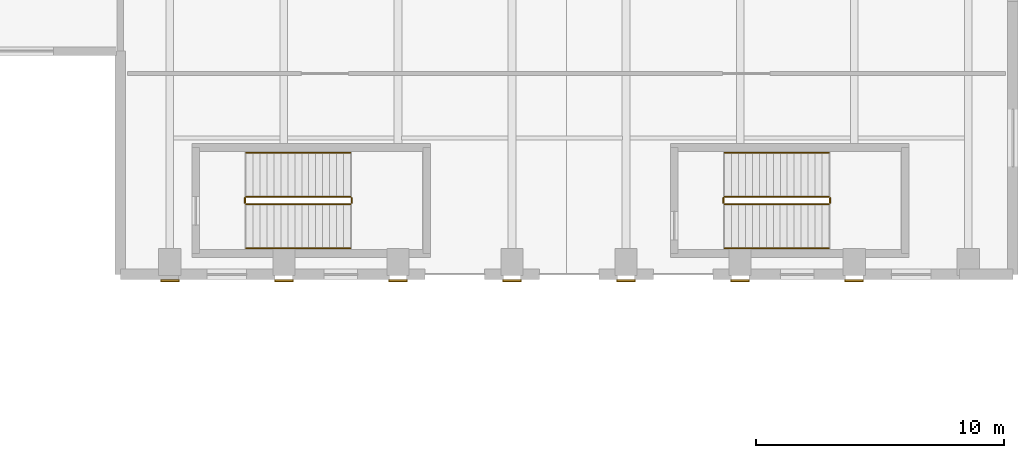
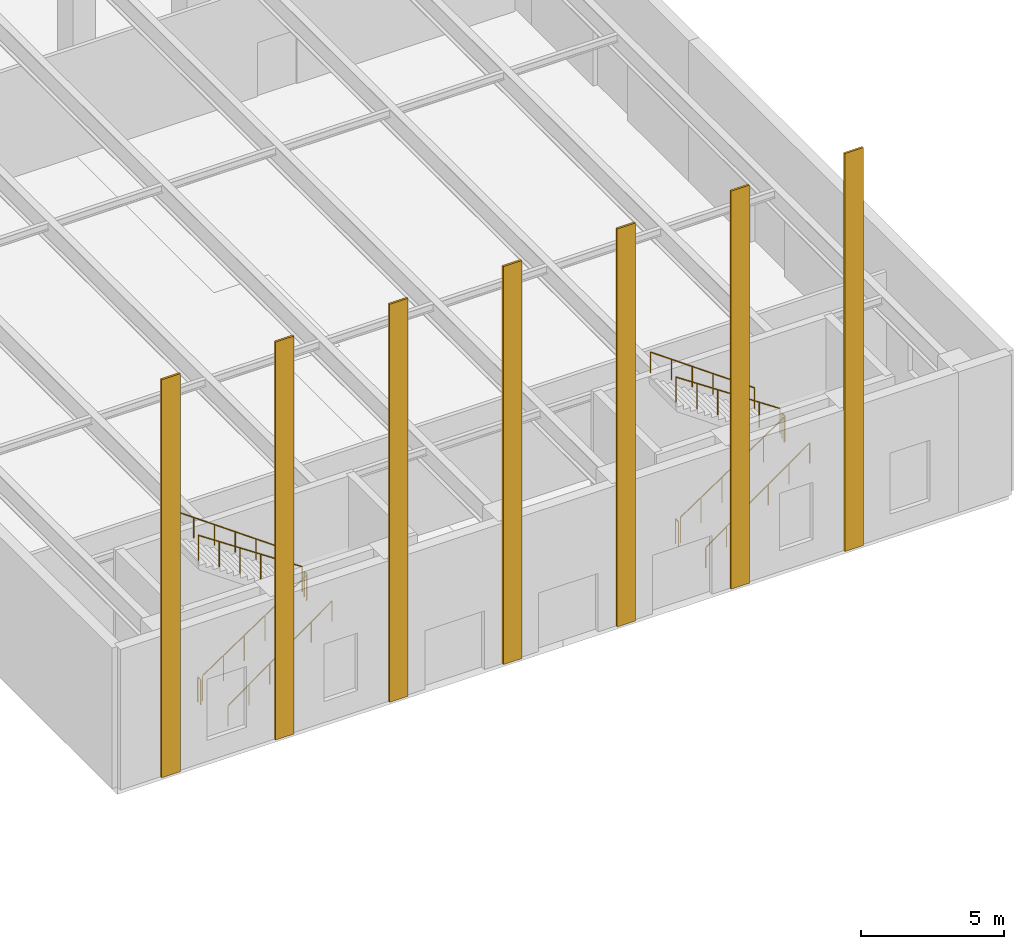
# One storey, part 47 of 49: 12 railings, 7 coverings.
"""IFC4 building model written with IfcOpenShell, lengths in metres."""

from ifc_helpers import new_model, si_unit, direction, frame, origin, origin_2d, place, context, subcontext, project, spatial, rectangle, circle, extrude, material, layer, layer_set, type_object, element, save


model = new_model("IFC4")

# Units and contexts
model_context = context("Model", 3, precision=1e-05, world=origin(), true_north=direction((0.0, 1.0)))
body_context = subcontext(model_context, "Body", "Model", "MODEL_VIEW")
ifc_project = project(units=[si_unit("LENGTHUNIT", "METRE"), si_unit("AREAUNIT", "SQUARE_METRE"), si_unit("VOLUMEUNIT", "CUBIC_METRE"), si_unit("PLANEANGLEUNIT", "RADIAN"), si_unit("MASSUNIT", "GRAM", prefix="KILO")], contexts=[model_context])

# Site, building, storey
site_placement = place(None, origin())
site = spatial("IfcSite", under=ifc_project, at=site_placement, CompositionType="ELEMENT")
building_placement = place(site_placement, origin())
building = spatial("IfcBuilding", under=site, at=building_placement, Name="Tlacozan Convention Centre", CompositionType="ELEMENT")
storey_placement = place(building_placement, origin())
storey = spatial("IfcBuildingStorey", under=building, at=storey_placement, Name="L00", CompositionType="ELEMENT", Elevation=0.0)

# Coverings
ifc_material_1 = material(Name="Volcanic Cantera Stone Masonry", Category="masonry")
ifc_layer = layer(ifc_material_1, 0.044921875)
ifc_layer_set = layer_set([ifc_layer], Name="Volcanic Cantera Stone Masonry")
covering_type = type_object("IfcCoveringType", Name="Cantera Pier Ashlar Cladding 45", PredefinedType="CLADDING", material=ifc_layer_set)
for number, where, z_axis, x_axis, name in (
    (1, (146.0, 17.75, 0.0), (0.0, 0.0, 1.0), (1.0, 0.0, 0.0), "Plenary Cantera Pier Cladding 1"),
    (2, (150.60009765625, 17.75, 0.0), (0.0, 0.0, 1.0), (1.0, 0.0, 0.0), "Plenary Cantera Pier Cladding 2"),
    (3, (155.199951171875, 17.75, 0.0), (0.0, 0.0, 1.0), (1.0, 0.0, 0.0), "Plenary Cantera Pier Cladding 3"),
    (4, (159.800048828125, 17.75, 0.0), (0.0, 0.0, 1.0), (1.0, 0.0, 0.0), "Plenary Cantera Pier Cladding 4"),
    (5, (164.39990234375, 17.75, 0.0), (0.0, 0.0, 1.0), (1.0, 0.0, 0.0), "Plenary Cantera Pier Cladding 5"),
    (6, (169.0, 17.75, 0.0), (0.0, 0.0, 1.0), (1.0, 0.0, 0.0), "Plenary Cantera Pier Cladding 6"),
    (7, (173.60009765625, 17.75, 0.0), (0.0, 0.0, 1.0), (1.0, 0.0, 0.0), "Plenary Cantera Pier Cladding 7"),
):
    element("IfcCovering", number, at=place(storey_placement, frame(where, z_axis=z_axis, x_axis=x_axis)), inside=storey, type_object=covering_type, Name=name, PredefinedType="CLADDING", context=body_context, shape_type="SweptSolid", body=[
        extrude(rectangle(XDim=0.75, YDim=0.080078125, at=origin_2d()), origin(), (0.0, 0.0, 1.0), 17.0),
    ])

# Railings
ifc_material_2 = material(Name="Architectural Painted Galvanised Steel Railing", Category="steel")
railing_type_1 = type_object("IfcRailingType", Name="Stair Wall Handrail 900", PredefinedType="HANDRAIL", material=ifc_material_2)
railing_1_placement = place(storey_placement, frame((168.3798828125, 19.050048828125, 0.1875)))
element("IfcRailing", 8, at=railing_1_placement, inside=storey, type_object=railing_type_1, Name="L00 ST-07 stair handrail 1", PredefinedType="HANDRAIL", context=body_context, shape_type="SweptSolid", body=[
    extrude(circle(Radius=0.02392578125, at=origin_2d()), frame((0.0, 0.0, 0.8759765625), z_axis=(0.813746254747, 0.0, 0.581220296346), x_axis=(0.0, 1.0, 0.0)), (0.0, 0.0, 1.0), 5.16162109375),
    extrude(circle(Radius=0.02099609375, at=origin_2d()), origin(), (0.0, 0.0, 1.0), 0.851806640625),
    extrude(circle(Radius=0.02099609375, at=origin_2d()), frame((0.840087890625, 0.0, 0.60009765625)), (0.0, 0.0, 1.0), 0.851806640625),
    extrude(circle(Radius=0.02099609375, at=origin_2d()), frame((1.68017578125, 0.0, 1.199951171875)), (0.0, 0.0, 1.0), 0.851806640625),
    extrude(circle(Radius=0.02099609375, at=origin_2d()), frame((2.52001953125, 0.0, 1.800048828125)), (0.0, 0.0, 1.0), 0.851806640625),
    extrude(circle(Radius=0.02099609375, at=origin_2d()), frame((3.360107421875, 0.0, 2.39990234375)), (0.0, 0.0, 1.0), 0.851806640625),
    extrude(circle(Radius=0.02099609375, at=origin_2d()), frame((4.2001953125, 0.0, 3.0)), (0.0, 0.0, 1.0), 0.851806640625),
])
railing_2_placement = place(storey_placement, frame((172.580078125, 22.909912109375, 3.1875)))
element("IfcRailing", 9, at=railing_2_placement, inside=storey, type_object=railing_type_1, Name="L00 ST-07 stair handrail 2", PredefinedType="HANDRAIL", context=body_context, shape_type="SweptSolid", body=[
    extrude(circle(Radius=0.02392578125, at=origin_2d()), frame((0.0, 0.0, 0.8759765625), z_axis=(-0.813746254747, 0.0, 0.581220296346), x_axis=(0.0, -1.0, 0.0)), (0.0, 0.0, 1.0), 5.16162109375),
    extrude(circle(Radius=0.02099609375, at=origin_2d()), origin(), (0.0, 0.0, 1.0), 0.851806640625),
    extrude(circle(Radius=0.02099609375, at=origin_2d()), frame((-0.840087890625, 0.0, 0.60009765625)), (0.0, 0.0, 1.0), 0.851806640625),
    extrude(circle(Radius=0.02099609375, at=origin_2d()), frame((-1.68017578125, 0.0, 1.199951171875)), (0.0, 0.0, 1.0), 0.851806640625),
    extrude(circle(Radius=0.02099609375, at=origin_2d()), frame((-2.52001953125, 0.0, 1.800048828125)), (0.0, 0.0, 1.0), 0.851806640625),
    extrude(circle(Radius=0.02099609375, at=origin_2d()), frame((-3.360107421875, 0.0, 2.39990234375)), (0.0, 0.0, 1.0), 0.851806640625),
    extrude(circle(Radius=0.02099609375, at=origin_2d()), frame((-4.2001953125, 0.0, 3.0)), (0.0, 0.0, 1.0), 0.851806640625),
])
railing_3_placement = place(storey_placement, frame((149.080078125, 19.050048828125, 0.1875)))
element("IfcRailing", 10, at=railing_3_placement, inside=storey, type_object=railing_type_1, Name="L00 ST-08 stair handrail 1", PredefinedType="HANDRAIL", context=body_context, shape_type="SweptSolid", body=[
    extrude(circle(Radius=0.02392578125, at=origin_2d()), frame((0.0, 0.0, 0.8759765625), z_axis=(0.813730275137, 0.0, 0.581242668191), x_axis=(0.0, 1.0, 0.0)), (0.0, 0.0, 1.0), 5.161376953125),
    extrude(circle(Radius=0.02099609375, at=origin_2d()), origin(), (0.0, 0.0, 1.0), 0.851806640625),
    extrude(circle(Radius=0.02099609375, at=origin_2d()), frame((0.840087890625, 0.0, 0.60009765625)), (0.0, 0.0, 1.0), 0.851806640625),
    extrude(circle(Radius=0.02099609375, at=origin_2d()), frame((1.679931640625, 0.0, 1.199951171875)), (0.0, 0.0, 1.0), 0.851806640625),
    extrude(circle(Radius=0.02099609375, at=origin_2d()), frame((2.52001953125, 0.0, 1.800048828125)), (0.0, 0.0, 1.0), 0.851806640625),
    extrude(circle(Radius=0.02099609375, at=origin_2d()), frame((3.35986328125, 0.0, 2.39990234375)), (0.0, 0.0, 1.0), 0.851806640625),
    extrude(circle(Radius=0.02099609375, at=origin_2d()), frame((4.199951171875, 0.0, 3.0)), (0.0, 0.0, 1.0), 0.851806640625),
])
railing_4_placement = place(storey_placement, frame((153.280029296875, 22.909912109375, 3.1875)))
element("IfcRailing", 11, at=railing_4_placement, inside=storey, type_object=railing_type_1, Name="L00 ST-08 stair handrail 2", PredefinedType="HANDRAIL", context=body_context, shape_type="SweptSolid", body=[
    extrude(circle(Radius=0.02392578125, at=origin_2d()), frame((0.0, 0.0, 0.8759765625), z_axis=(-0.813730275137, 0.0, 0.581242668191), x_axis=(0.0, -1.0, 0.0)), (0.0, 0.0, 1.0), 5.161376953125),
    extrude(circle(Radius=0.02099609375, at=origin_2d()), origin(), (0.0, 0.0, 1.0), 0.851806640625),
    extrude(circle(Radius=0.02099609375, at=origin_2d()), frame((-0.840087890625, 0.0, 0.60009765625)), (0.0, 0.0, 1.0), 0.851806640625),
    extrude(circle(Radius=0.02099609375, at=origin_2d()), frame((-1.679931640625, 0.0, 1.199951171875)), (0.0, 0.0, 1.0), 0.851806640625),
    extrude(circle(Radius=0.02099609375, at=origin_2d()), frame((-2.52001953125, 0.0, 1.800048828125)), (0.0, 0.0, 1.0), 0.851806640625),
    extrude(circle(Radius=0.02099609375, at=origin_2d()), frame((-3.35986328125, 0.0, 2.39990234375)), (0.0, 0.0, 1.0), 0.851806640625),
    extrude(circle(Radius=0.02099609375, at=origin_2d()), frame((-4.199951171875, 0.0, 3.0)), (0.0, 0.0, 1.0), 0.851806640625),
])
railing_type_2 = type_object("IfcRailingType", Name="Stair Well Guardrail 1100", PredefinedType="GUARDRAIL", material=ifc_material_2)
railing_5_placement = place(storey_placement, frame((168.3798828125, 20.830078125, 0.1875)))
element("IfcRailing", 12, at=railing_5_placement, inside=storey, type_object=railing_type_2, Name="L00 ST-07 stair guard 1", PredefinedType="GUARDRAIL", context=body_context, shape_type="SweptSolid", body=[
    extrude(circle(Radius=0.02392578125, at=origin_2d()), frame((0.0, 0.0, 1.076171875), z_axis=(0.830919138977, 0.0, 0.55639319234), x_axis=(0.0, 1.0, 0.0)), (0.0, 0.0, 1.0), 5.054931640625),
    extrude(circle(Radius=0.02099609375, at=origin_2d()), origin(), (0.0, 0.0, 1.0), 1.052001953125),
    extrude(circle(Radius=0.02099609375, at=origin_2d()), frame((0.840087890625, 0.0, 0.5625)), (0.0, 0.0, 1.0), 1.052001953125),
    extrude(circle(Radius=0.02099609375, at=origin_2d()), frame((1.68017578125, 0.0, 1.125)), (0.0, 0.0, 1.0), 1.052001953125),
    extrude(circle(Radius=0.02099609375, at=origin_2d()), frame((2.52001953125, 0.0, 1.6875)), (0.0, 0.0, 1.0), 1.052001953125),
    extrude(circle(Radius=0.02099609375, at=origin_2d()), frame((3.360107421875, 0.0, 2.25)), (0.0, 0.0, 1.0), 1.052001953125),
    extrude(circle(Radius=0.02099609375, at=origin_2d()), frame((4.2001953125, 0.0, 2.8125)), (0.0, 0.0, 1.0), 1.052001953125),
])
railing_6_placement = place(storey_placement, frame((172.6298828125, 20.8798828125, 3.0)))
element("IfcRailing", 13, at=railing_6_placement, inside=storey, type_object=railing_type_2, Name="L00 ST-07 stair guard 2", PredefinedType="GUARDRAIL", context=body_context, shape_type="SweptSolid", body=[
    extrude(circle(Radius=0.02392578125, at=origin_2d()), frame((0.0, 0.0, 1.076171875), z_axis=(0.0, 1.0, 0.0), x_axis=(-1.0, 0.0, 0.0)), (0.0, 0.0, 1.0), 0.2001953125),
    extrude(circle(Radius=0.02099609375, at=origin_2d()), origin(), (0.0, 0.0, 1.0), 1.052001953125),
    extrude(circle(Radius=0.02099609375, at=origin_2d()), frame((0.0, 0.2001953125, 0.0)), (0.0, 0.0, 1.0), 1.052001953125),
])
railing_7_placement = place(storey_placement, frame((172.580078125, 21.1298828125, 3.1875)))
element("IfcRailing", 14, at=railing_7_placement, inside=storey, type_object=railing_type_2, Name="L00 ST-07 stair guard 3", PredefinedType="GUARDRAIL", context=body_context, shape_type="SweptSolid", body=[
    extrude(circle(Radius=0.02392578125, at=origin_2d()), frame((0.0, 0.0, 1.076171875), z_axis=(-0.830919138977, 0.0, 0.55639319234), x_axis=(0.0, -1.0, 0.0)), (0.0, 0.0, 1.0), 5.054931640625),
    extrude(circle(Radius=0.02099609375, at=origin_2d()), origin(), (0.0, 0.0, 1.0), 1.052001953125),
    extrude(circle(Radius=0.02099609375, at=origin_2d()), frame((-0.840087890625, 0.0, 0.5625)), (0.0, 0.0, 1.0), 1.052001953125),
    extrude(circle(Radius=0.02099609375, at=origin_2d()), frame((-1.68017578125, 0.0, 1.125)), (0.0, 0.0, 1.0), 1.052001953125),
    extrude(circle(Radius=0.02099609375, at=origin_2d()), frame((-2.52001953125, 0.0, 1.6875)), (0.0, 0.0, 1.0), 1.052001953125),
    extrude(circle(Radius=0.02099609375, at=origin_2d()), frame((-3.360107421875, 0.0, 2.25)), (0.0, 0.0, 1.0), 1.052001953125),
    extrude(circle(Radius=0.02099609375, at=origin_2d()), frame((-4.2001953125, 0.0, 2.8125)), (0.0, 0.0, 1.0), 1.052001953125),
])
railing_8_placement = place(storey_placement, frame((168.330078125, 20.8798828125, 0.0)))
element("IfcRailing", 15, at=railing_8_placement, inside=storey, type_object=railing_type_2, Name="L00 ST-07 stair guard 4", PredefinedType="GUARDRAIL", context=body_context, shape_type="SweptSolid", body=[
    extrude(circle(Radius=0.02392578125, at=origin_2d()), frame((0.0, 0.0, 1.076171875), z_axis=(0.0, 1.0, 0.0), x_axis=(-1.0, 0.0, 0.0)), (0.0, 0.0, 1.0), 0.2001953125),
    extrude(circle(Radius=0.02099609375, at=origin_2d()), origin(), (0.0, 0.0, 1.0), 1.052001953125),
    extrude(circle(Radius=0.02099609375, at=origin_2d()), frame((0.0, 0.2001953125, 0.0)), (0.0, 0.0, 1.0), 1.052001953125),
])
railing_9_placement = place(storey_placement, frame((149.080078125, 20.830078125, 0.1875)))
element("IfcRailing", 16, at=railing_9_placement, inside=storey, type_object=railing_type_2, Name="L00 ST-08 stair guard 1", PredefinedType="GUARDRAIL", context=body_context, shape_type="SweptSolid", body=[
    extrude(circle(Radius=0.02392578125, at=origin_2d()), frame((0.0, 0.0, 1.076171875), z_axis=(0.830904186295, 0.0, 0.556415522067), x_axis=(0.0, 1.0, 0.0)), (0.0, 0.0, 1.0), 5.0546875),
    extrude(circle(Radius=0.02099609375, at=origin_2d()), origin(), (0.0, 0.0, 1.0), 1.052001953125),
    extrude(circle(Radius=0.02099609375, at=origin_2d()), frame((0.840087890625, 0.0, 0.5625)), (0.0, 0.0, 1.0), 1.052001953125),
    extrude(circle(Radius=0.02099609375, at=origin_2d()), frame((1.679931640625, 0.0, 1.125)), (0.0, 0.0, 1.0), 1.052001953125),
    extrude(circle(Radius=0.02099609375, at=origin_2d()), frame((2.52001953125, 0.0, 1.6875)), (0.0, 0.0, 1.0), 1.052001953125),
    extrude(circle(Radius=0.02099609375, at=origin_2d()), frame((3.35986328125, 0.0, 2.25)), (0.0, 0.0, 1.0), 1.052001953125),
    extrude(circle(Radius=0.02099609375, at=origin_2d()), frame((4.199951171875, 0.0, 2.8125)), (0.0, 0.0, 1.0), 1.052001953125),
])
railing_10_placement = place(storey_placement, frame((153.330078125, 20.8798828125, 3.0)))
element("IfcRailing", 17, at=railing_10_placement, inside=storey, type_object=railing_type_2, Name="L00 ST-08 stair guard 2", PredefinedType="GUARDRAIL", context=body_context, shape_type="SweptSolid", body=[
    extrude(circle(Radius=0.02392578125, at=origin_2d()), frame((0.0, 0.0, 1.076171875), z_axis=(0.0, 1.0, 0.0), x_axis=(-1.0, 0.0, 0.0)), (0.0, 0.0, 1.0), 0.2001953125),
    extrude(circle(Radius=0.02099609375, at=origin_2d()), origin(), (0.0, 0.0, 1.0), 1.052001953125),
    extrude(circle(Radius=0.02099609375, at=origin_2d()), frame((0.0, 0.2001953125, 0.0)), (0.0, 0.0, 1.0), 1.052001953125),
])
railing_11_placement = place(storey_placement, frame((153.280029296875, 21.1298828125, 3.1875)))
element("IfcRailing", 18, at=railing_11_placement, inside=storey, type_object=railing_type_2, Name="L00 ST-08 stair guard 3", PredefinedType="GUARDRAIL", context=body_context, shape_type="SweptSolid", body=[
    extrude(circle(Radius=0.02392578125, at=origin_2d()), frame((0.0, 0.0, 1.076171875), z_axis=(-0.830904186295, 0.0, 0.556415522067), x_axis=(0.0, -1.0, 0.0)), (0.0, 0.0, 1.0), 5.0546875),
    extrude(circle(Radius=0.02099609375, at=origin_2d()), origin(), (0.0, 0.0, 1.0), 1.052001953125),
    extrude(circle(Radius=0.02099609375, at=origin_2d()), frame((-0.840087890625, 0.0, 0.5625)), (0.0, 0.0, 1.0), 1.052001953125),
    extrude(circle(Radius=0.02099609375, at=origin_2d()), frame((-1.679931640625, 0.0, 1.125)), (0.0, 0.0, 1.0), 1.052001953125),
    extrude(circle(Radius=0.02099609375, at=origin_2d()), frame((-2.52001953125, 0.0, 1.6875)), (0.0, 0.0, 1.0), 1.052001953125),
    extrude(circle(Radius=0.02099609375, at=origin_2d()), frame((-3.35986328125, 0.0, 2.25)), (0.0, 0.0, 1.0), 1.052001953125),
    extrude(circle(Radius=0.02099609375, at=origin_2d()), frame((-4.199951171875, 0.0, 2.8125)), (0.0, 0.0, 1.0), 1.052001953125),
])
railing_12_placement = place(storey_placement, frame((149.030029296875, 20.8798828125, 0.0)))
element("IfcRailing", 19, at=railing_12_placement, inside=storey, type_object=railing_type_2, Name="L00 ST-08 stair guard 4", PredefinedType="GUARDRAIL", context=body_context, shape_type="SweptSolid", body=[
    extrude(circle(Radius=0.02392578125, at=origin_2d()), frame((0.0, 0.0, 1.076171875), z_axis=(0.0, 1.0, 0.0), x_axis=(-1.0, 0.0, 0.0)), (0.0, 0.0, 1.0), 0.2001953125),
    extrude(circle(Radius=0.02099609375, at=origin_2d()), origin(), (0.0, 0.0, 1.0), 1.052001953125),
    extrude(circle(Radius=0.02099609375, at=origin_2d()), frame((0.0, 0.2001953125, 0.0)), (0.0, 0.0, 1.0), 1.052001953125),
])

save(model, "model.ifc")
